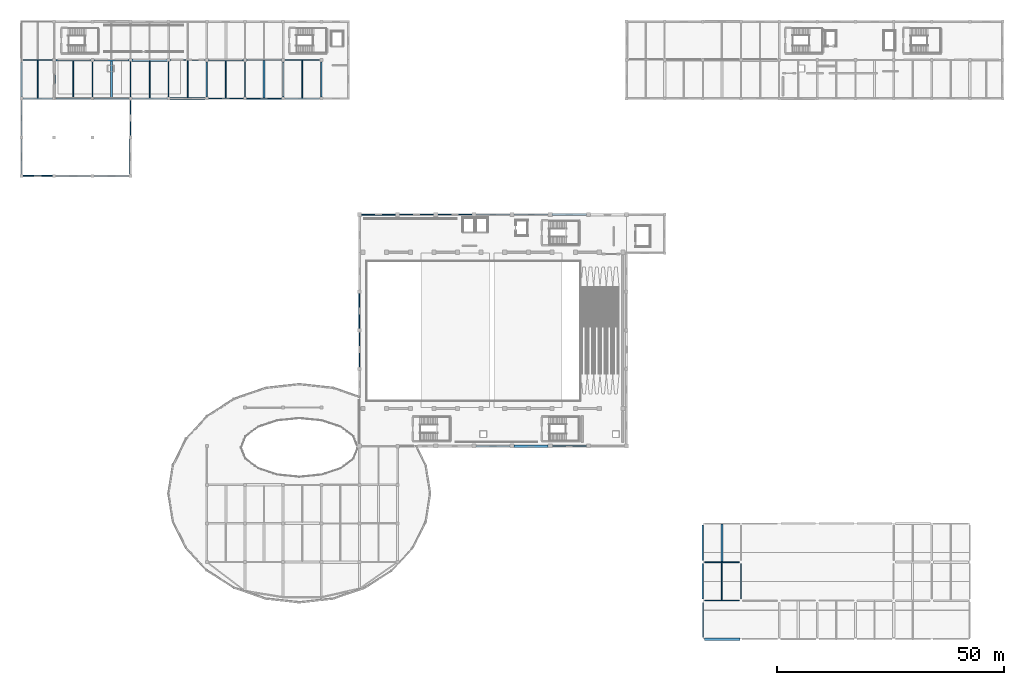
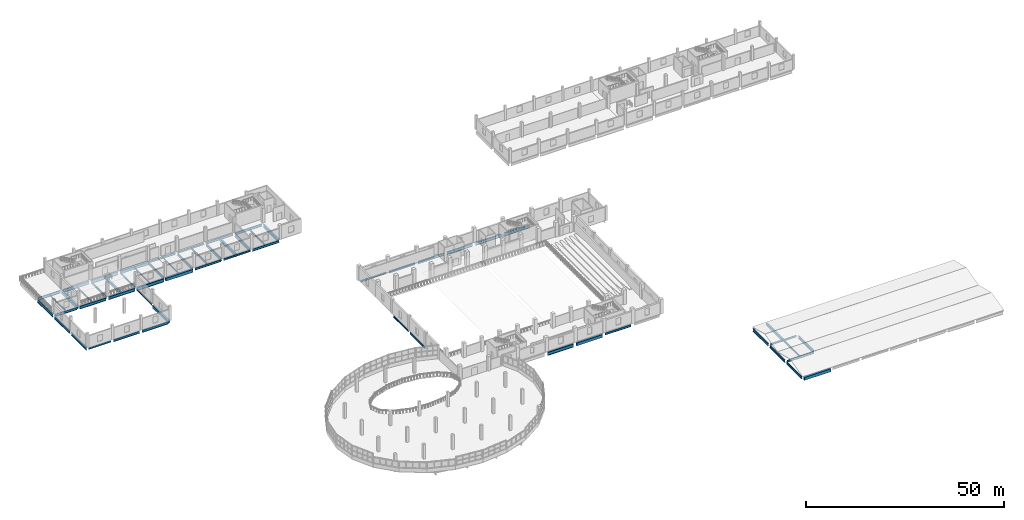
# One storey, part 28 of 50: 60 beams.
"""IFC4 building model written with IfcOpenShell, lengths in metres."""

from ifc_helpers import new_model, si_unit, direction, frame, origin, origin_2d, place, context, subcontext, project, spatial, rectangle, i_section, extrude, material, material_profile, profile_set, type_object, element, save


model = new_model("IFC4")

# Units and contexts
model_context = context("Model", 3, precision=1e-05, world=origin(), true_north=direction((0.0, 1.0)))
body_context = subcontext(model_context, "Body", "Model", "MODEL_VIEW")
ifc_project = project(units=[si_unit("LENGTHUNIT", "METRE"), si_unit("AREAUNIT", "SQUARE_METRE"), si_unit("VOLUMEUNIT", "CUBIC_METRE"), si_unit("PLANEANGLEUNIT", "RADIAN"), si_unit("MASSUNIT", "GRAM", prefix="KILO")], contexts=[model_context])

# Site, building, storey
site_placement = place(None, origin())
site = spatial("IfcSite", under=ifc_project, at=site_placement, CompositionType="ELEMENT")
building_placement = place(site_placement, origin())
building = spatial("IfcBuilding", under=site, at=building_placement, Name="Solvento Point Concert Hall", CompositionType="ELEMENT")
storey_placement = place(building_placement, frame((0.0, 0.0, 15.0)))
storey = spatial("IfcBuildingStorey", under=building, at=storey_placement, Name="L03", CompositionType="ELEMENT", Elevation=15.0)

# Beams
ifc_material_1 = material(Name="Concrete C35/45", Category="concrete")
ifc_material_profile_1 = material_profile(ifc_material_1, rectangle(XDim=0.449951171875, YDim=0.75, at=origin_2d()), Name="RC-BM-450X750")
ifc_profile_set_1 = profile_set([ifc_material_profile_1], Name="Concrete C35/45")
beam_type_1 = type_object("IfcBeamType", Name="Beam_RC_450x750", PredefinedType="BEAM", material=ifc_profile_set_1)
beam_1_placement = place(storey_placement, frame((19.800048828125, 119.138916015625, -0.68896484375), z_axis=(0.0, 1.0, 0.0), x_axis=(-1.0, 0.0, 0.0)))
element("IfcBeam", 1, at=beam_1_placement, inside=storey, type_object=beam_type_1, Name="Secondary floor joist B-28 L03", PredefinedType="BEAM", context=body_context, shape_type="SweptSolid", body=[
    extrude(rectangle(XDim=0.449951171875, YDim=0.75, at=origin_2d()), origin(), (0.0, 0.0, 1.0), 8.195556640625),
])
for number, where, z_axis, x_axis, name in (
    (2, (53.39990234375, 119.092041015625, -0.68896484375), (0.0, 1.0, 0.0), (-1.0, 0.0, 0.0), "Secondary floor joist B-28 L03"),
    (3, (154.199951171875, 17.092041015625, -0.37890625), (0.0, 1.0, 0.0), (-1.0, 0.0, 0.0), "Secondary floor joist B-28 L03"),
):
    element("IfcBeam", number, at=place(storey_placement, frame(where, z_axis=z_axis, x_axis=x_axis)), inside=storey, type_object=beam_type_1, Name=name, PredefinedType="BEAM", context=body_context, shape_type="SweptSolid", body=[
        extrude(rectangle(XDim=0.449951171875, YDim=0.75, at=origin_2d()), origin(), (0.0, 0.0, 1.0), 8.294921875),
    ])
ifc_material_2 = material(Name="Structural Steel ASTM A992 Grade 50", Category="steel")
ifc_material_profile_2 = material_profile(ifc_material_2, i_section(OverallWidth=0.20947265625, OverallDepth=0.532958984375, WebThickness=0.01025390625, FlangeThickness=0.015625, at=origin_2d()), Name="W21X62")
ifc_profile_set_2 = profile_set([ifc_material_profile_2], Name="Structural Steel ASTM A992 Grade 50")
beam_type_2 = type_object("IfcBeamType", Name="Beam_W21X62", PredefinedType="BEAM", material=ifc_profile_set_2)
beam_2_placement = place(storey_placement, frame((11.39990234375, 119.131103515625, -0.58056640625), z_axis=(0.0, 1.0, 0.0), x_axis=(-1.0, 0.0, 0.0)))
element("IfcBeam", 4, at=beam_2_placement, inside=storey, type_object=beam_type_2, Name="Secondary floor joist B-25 L03", PredefinedType="BEAM", context=body_context, shape_type="SweptSolid", body=[
    extrude(i_section(OverallWidth=0.20947265625, OverallDepth=0.532958984375, WebThickness=0.01025390625, FlangeThickness=0.015625, at=origin_2d()), origin(), (0.0, 0.0, 1.0), 8.22998046875),
])
for number, where, z_axis, x_axis, name in (
    (5, (45.0, 119.09912109375, -0.58056640625), (0.0, 1.0, 0.0), (-1.0, 0.0, 0.0), "Secondary floor joist B-25 L03"),
    (6, (154.199951171875, 8.59912109375, -0.2705078125), (0.0, 1.0, 0.0), (-1.0, 0.0, 0.0), "Secondary floor joist B-25 L03"),
):
    element("IfcBeam", number, at=place(storey_placement, frame(where, z_axis=z_axis, x_axis=x_axis)), inside=storey, type_object=beam_type_2, Name=name, PredefinedType="BEAM", context=body_context, shape_type="SweptSolid", body=[
        extrude(i_section(OverallWidth=0.20947265625, OverallDepth=0.532958984375, WebThickness=0.01025390625, FlangeThickness=0.015625, at=origin_2d()), origin(), (0.0, 0.0, 1.0), 8.308837890625),
    ])
ifc_material_3 = material(Name="Structural Steel ASTM A992 Grade 50", Category="steel")
ifc_material_profile_3 = material_profile(ifc_material_3, i_section(OverallWidth=0.214111328125, OverallDepth=0.549072265625, WebThickness=0.0146484375, FlangeThickness=0.023681640625, at=origin_2d()), Name="W21X93")
ifc_profile_set_3 = profile_set([ifc_material_profile_3], Name="Structural Steel ASTM A992 Grade 50")
beam_type_3 = type_object("IfcBeamType", Name="Beam_W21X93", PredefinedType="BEAM", material=ifc_profile_set_3)
beam_3_placement = place(storey_placement, frame((150.368896484375, 17.0, -0.278564453125), z_axis=(1.0, 0.0, 0.0), x_axis=(0.0, 1.0, 0.0)))
element("IfcBeam", 7, at=beam_3_placement, inside=storey, type_object=beam_type_3, Name="Primary girder B-48 L03", PredefinedType="BEAM", context=body_context, shape_type="SweptSolid", body=[
    extrude(i_section(OverallWidth=0.214111328125, OverallDepth=0.549072265625, WebThickness=0.0146484375, FlangeThickness=0.023681640625, at=origin_2d()), origin(), (0.0, 0.0, 1.0), 7.662109375),
])
beam_4_placement = place(storey_placement, frame((74.843994140625, 93.5, -0.718505859375), z_axis=(1.0, 0.0, 0.0), x_axis=(0.0, 1.0, 0.0)))
element("IfcBeam", 8, at=beam_4_placement, inside=storey, type_object=beam_type_3, Name="Primary girder B-48 L03", PredefinedType="BEAM", context=body_context, shape_type="SweptSolid", body=[
    extrude(i_section(OverallWidth=0.214111328125, OverallDepth=0.549072265625, WebThickness=0.0146484375, FlangeThickness=0.023681640625, at=origin_2d()), origin(), (0.0, 0.0, 1.0), 7.511962890625),
])
beam_5_placement = place(storey_placement, frame((0.368896484375, 102.0, -0.54248046875), z_axis=(1.0, 0.0, 0.0), x_axis=(0.0, 1.0, 0.0)))
element("IfcBeam", 9, at=beam_5_placement, inside=storey, type_object=beam_type_3, Name="Primary girder B-48 L03", PredefinedType="BEAM", context=body_context, shape_type="SweptSolid", body=[
    extrude(i_section(OverallWidth=0.214111328125, OverallDepth=0.549072265625, WebThickness=0.0146484375, FlangeThickness=0.023681640625, at=origin_2d()), origin(), (0.0, 0.0, 1.0), 6.462158203125),
])
beam_6_placement = place(storey_placement, frame((49.569091796875, 119.0, -0.58837890625), z_axis=(1.0, 0.0, 0.0), x_axis=(0.0, 1.0, 0.0)))
element("IfcBeam", 10, at=beam_6_placement, inside=storey, type_object=beam_type_3, Name="Primary girder B-48 L03", PredefinedType="BEAM", context=body_context, shape_type="SweptSolid", body=[
    extrude(i_section(OverallWidth=0.214111328125, OverallDepth=0.549072265625, WebThickness=0.0146484375, FlangeThickness=0.023681640625, at=origin_2d()), origin(), (0.0, 0.0, 1.0), 7.661865234375),
])
beam_7_placement = place(storey_placement, frame((41.1689453125, 127.5, -0.58837890625), z_axis=(1.0, 0.0, 0.0), x_axis=(0.0, 1.0, 0.0)))
element("IfcBeam", 11, at=beam_7_placement, inside=storey, type_object=beam_type_3, Name="Primary girder B-48 L03", PredefinedType="BEAM", context=body_context, shape_type="SweptSolid", body=[
    extrude(i_section(OverallWidth=0.214111328125, OverallDepth=0.549072265625, WebThickness=0.0146484375, FlangeThickness=0.023681640625, at=origin_2d()), origin(), (0.0, 0.0, 1.0), 7.662109375),
])
beam_8_placement = place(storey_placement, frame((24.0, 119.368896484375, -0.58837890625), z_axis=(0.0, 1.0, 0.0), x_axis=(-1.0, 0.0, 0.0)))
element("IfcBeam", 12, at=beam_8_placement, inside=storey, type_object=beam_type_3, Name="Primary girder B-48 L03", PredefinedType="BEAM", context=body_context, shape_type="SweptSolid", body=[
    extrude(i_section(OverallWidth=0.214111328125, OverallDepth=0.549072265625, WebThickness=0.0146484375, FlangeThickness=0.023681640625, at=origin_2d()), origin(), (0.0, 0.0, 1.0), 7.76220703125),
])
beam_9_placement = place(storey_placement, frame((74.39990234375, 68.444091796875, -0.718505859375), z_axis=(0.0, 1.0, 0.0), x_axis=(-1.0, 0.0, 0.0)))
element("IfcBeam", 13, at=beam_9_placement, inside=storey, type_object=beam_type_3, Name="Primary girder B-48 L03", PredefinedType="BEAM", context=body_context, shape_type="SweptSolid", body=[
    extrude(i_section(OverallWidth=0.214111328125, OverallDepth=0.549072265625, WebThickness=0.0146484375, FlangeThickness=0.023681640625, at=origin_2d()), origin(), (0.0, 0.0, 1.0), 7.61181640625),
])
ifc_material_4 = material(Name="Structural Steel ASTM A992 Grade 50", Category="steel")
ifc_material_profile_4 = material_profile(ifc_material_4, i_section(OverallWidth=0.228515625, OverallDepth=0.60791015625, WebThickness=0.01123046875, FlangeThickness=0.017333984375, at=origin_2d()), Name="W24X76")
ifc_profile_set_4 = profile_set([ifc_material_profile_4], Name="Structural Steel ASTM A992 Grade 50")
beam_type_4 = type_object("IfcBeamType", Name="Beam_W24X76", PredefinedType="BEAM", material=ifc_profile_set_4)
beam_10_placement = place(storey_placement, frame((150.368896484375, 8.5, -0.30810546875), z_axis=(1.0, 0.0, 0.0), x_axis=(0.0, 1.0, 0.0)))
element("IfcBeam", 14, at=beam_10_placement, inside=storey, type_object=beam_type_4, Name="Primary girder B-42 L03", PredefinedType="BEAM", context=body_context, shape_type="SweptSolid", body=[
    extrude(i_section(OverallWidth=0.228515625, OverallDepth=0.60791015625, WebThickness=0.01123046875, FlangeThickness=0.017333984375, at=origin_2d()), origin(), (0.0, 0.0, 1.0), 7.662109375),
])
beam_11_placement = place(storey_placement, frame((116.843994140625, 42.5, -0.748046875), z_axis=(1.0, 0.0, 0.0), x_axis=(0.0, 1.0, 0.0)))
element("IfcBeam", 15, at=beam_11_placement, inside=storey, type_object=beam_type_4, Name="Primary girder B-42 L03", PredefinedType="BEAM", context=body_context, shape_type="SweptSolid", body=[
    extrude(i_section(OverallWidth=0.228515625, OverallDepth=0.60791015625, WebThickness=0.01123046875, FlangeThickness=0.017333984375, at=origin_2d()), origin(), (0.0, 0.0, 1.0), 7.511962890625),
])
beam_12_placement = place(storey_placement, frame((41.1689453125, 119.0, -0.617919921875), z_axis=(1.0, 0.0, 0.0), x_axis=(0.0, 1.0, 0.0)))
element("IfcBeam", 16, at=beam_12_placement, inside=storey, type_object=beam_type_4, Name="Primary girder B-42 L03", PredefinedType="BEAM", context=body_context, shape_type="SweptSolid", body=[
    extrude(i_section(OverallWidth=0.228515625, OverallDepth=0.60791015625, WebThickness=0.01123046875, FlangeThickness=0.017333984375, at=origin_2d()), origin(), (0.0, 0.0, 1.0), 7.662109375),
])
beam_13_placement = place(storey_placement, frame((32.39990234375, 127.5, -0.617919921875), z_axis=(1.0, 0.0, 0.0), x_axis=(0.0, 1.0, 0.0)))
element("IfcBeam", 17, at=beam_13_placement, inside=storey, type_object=beam_type_4, Name="Primary girder B-42 L03", PredefinedType="BEAM", context=body_context, shape_type="SweptSolid", body=[
    extrude(i_section(OverallWidth=0.228515625, OverallDepth=0.60791015625, WebThickness=0.01123046875, FlangeThickness=0.017333984375, at=origin_2d()), origin(), (0.0, 0.0, 1.0), 8.031005859375),
])
for number, where, z_axis, x_axis, name in (
    (18, (15.60009765625, 119.368896484375, -0.617919921875), (0.0, 1.0, 0.0), (-1.0, 0.0, 0.0), "Primary girder B-42 L03"),
    (19, (24.0, 110.868896484375, -0.572021484375), (0.0, 1.0, 0.0), (-1.0, 0.0, 0.0), "Primary girder B-42 L03"),
):
    element("IfcBeam", number, at=place(storey_placement, frame(where, z_axis=z_axis, x_axis=x_axis)), inside=storey, type_object=beam_type_4, Name=name, PredefinedType="BEAM", context=body_context, shape_type="SweptSolid", body=[
        extrude(i_section(OverallWidth=0.228515625, OverallDepth=0.60791015625, WebThickness=0.01123046875, FlangeThickness=0.017333984375, at=origin_2d()), origin(), (0.0, 0.0, 1.0), 7.76220703125),
    ])
beam_14_placement = place(storey_placement, frame((74.39990234375, 59.944091796875, -0.748046875), z_axis=(0.0, 1.0, 0.0), x_axis=(-1.0, 0.0, 0.0)))
element("IfcBeam", 20, at=beam_14_placement, inside=storey, type_object=beam_type_4, Name="Primary girder B-42 L03", PredefinedType="BEAM", context=body_context, shape_type="SweptSolid", body=[
    extrude(i_section(OverallWidth=0.228515625, OverallDepth=0.60791015625, WebThickness=0.01123046875, FlangeThickness=0.017333984375, at=origin_2d()), origin(), (0.0, 0.0, 1.0), 7.61181640625),
])
ifc_material_5 = material(Name="Concrete C35/45", Category="concrete")
ifc_material_profile_5 = material_profile(ifc_material_5, rectangle(XDim=0.550048828125, YDim=0.89990234375, at=origin_2d()), Name="RC-BM-550X900")
ifc_profile_set_5 = profile_set([ifc_material_profile_5], Name="Concrete C35/45")
beam_type_5 = type_object("IfcBeamType", Name="Girder_RC_550x900", PredefinedType="USERDEFINED", material=ifc_profile_set_5)
beam_15_placement = place(storey_placement, frame((150.368896484375, 0.0, -0.4541015625), z_axis=(1.0, 0.0, 0.0), x_axis=(0.0, 1.0, 0.0)))
element("IfcBeam", 21, at=beam_15_placement, inside=storey, type_object=beam_type_5, Name="Primary girder B-39 L03", ObjectType="GIRDER", PredefinedType="USERDEFINED", context=body_context, shape_type="SweptSolid", body=[
    extrude(rectangle(XDim=0.550048828125, YDim=0.89990234375, at=origin_2d()), origin(), (0.0, 0.0, 1.0), 7.787109375),
])
beam_16_placement = place(storey_placement, frame((108.444091796875, 42.5, -0.89404296875), z_axis=(1.0, 0.0, 0.0), x_axis=(0.0, 1.0, 0.0)))
element("IfcBeam", 22, at=beam_16_placement, inside=storey, type_object=beam_type_5, Name="Primary girder B-39 L03", ObjectType="GIRDER", PredefinedType="USERDEFINED", context=body_context, shape_type="SweptSolid", body=[
    extrude(rectangle(XDim=0.550048828125, YDim=0.89990234375, at=origin_2d()), origin(), (0.0, 0.0, 1.0), 7.511962890625),
])
beam_17_placement = place(storey_placement, frame((32.64404296875, 119.0, -0.763916015625), z_axis=(1.0, 0.0, 0.0), x_axis=(0.0, 1.0, 0.0)))
element("IfcBeam", 23, at=beam_17_placement, inside=storey, type_object=beam_type_5, Name="Primary girder B-39 L03", ObjectType="GIRDER", PredefinedType="USERDEFINED", context=body_context, shape_type="SweptSolid", body=[
    extrude(rectangle(XDim=0.550048828125, YDim=0.89990234375, at=origin_2d()), origin(), (0.0, 0.0, 1.0), 7.786865234375),
])
beam_18_placement = place(storey_placement, frame((24.368896484375, 127.5, -0.763916015625), z_axis=(1.0, 0.0, 0.0), x_axis=(0.0, 1.0, 0.0)))
element("IfcBeam", 24, at=beam_18_placement, inside=storey, type_object=beam_type_5, Name="Primary girder B-39 L03", ObjectType="GIRDER", PredefinedType="USERDEFINED", context=body_context, shape_type="SweptSolid", body=[
    extrude(rectangle(XDim=0.550048828125, YDim=0.89990234375, at=origin_2d()), origin(), (0.0, 0.0, 1.0), 8.031005859375),
])
for number, where, z_axis, x_axis, name in (
    (25, (7.199951171875, 119.368896484375, -0.763916015625), (0.0, 1.0, 0.0), (-1.0, 0.0, 0.0), "Primary girder B-39 L03"),
    (26, (24.0, 102.368896484375, -0.718017578125), (0.0, 1.0, 0.0), (-1.0, 0.0, 0.0), "Primary girder B-39 L03"),
):
    element("IfcBeam", number, at=place(storey_placement, frame(where, z_axis=z_axis, x_axis=x_axis)), inside=storey, type_object=beam_type_5, Name=name, ObjectType="GIRDER", PredefinedType="USERDEFINED", context=body_context, shape_type="SweptSolid", body=[
        extrude(rectangle(XDim=0.550048828125, YDim=0.89990234375, at=origin_2d()), origin(), (0.0, 0.0, 1.0), 7.76220703125),
    ])
ifc_material_6 = material(Name="Structural Steel ASTM A992 Grade 50", Category="steel")
ifc_material_profile_6 = material_profile(ifc_material_6, i_section(OverallWidth=0.256103515625, OverallDepth=0.693115234375, WebThickness=0.014404296875, FlangeThickness=0.023681640625, at=origin_2d()), Name="W27X114")
ifc_profile_set_6 = profile_set([ifc_material_profile_6], Name="Structural Steel ASTM A992 Grade 50")
beam_type_6 = type_object("IfcBeamType", Name="Girder_W27X114", PredefinedType="USERDEFINED", material=ifc_profile_set_6)
beam_19_placement = place(storey_placement, frame((83.243896484375, 93.5, -0.79052734375), z_axis=(1.0, 0.0, 0.0), x_axis=(0.0, 1.0, 0.0)))
element("IfcBeam", 27, at=beam_19_placement, inside=storey, type_object=beam_type_6, Name="Primary girder B-23 L03", ObjectType="GIRDER", PredefinedType="USERDEFINED", context=body_context, shape_type="SweptSolid", body=[
    extrude(i_section(OverallWidth=0.256103515625, OverallDepth=0.693115234375, WebThickness=0.014404296875, FlangeThickness=0.023681640625, at=origin_2d()), origin(), (0.0, 0.0, 1.0), 7.51220703125),
])
beam_20_placement = place(storey_placement, frame((7.569091796875, 102.0, -0.614501953125), z_axis=(1.0, 0.0, 0.0), x_axis=(0.0, 1.0, 0.0)))
element("IfcBeam", 28, at=beam_20_placement, inside=storey, type_object=beam_type_6, Name="Primary girder B-23 L03", ObjectType="GIRDER", PredefinedType="USERDEFINED", context=body_context, shape_type="SweptSolid", body=[
    extrude(i_section(OverallWidth=0.256103515625, OverallDepth=0.693115234375, WebThickness=0.014404296875, FlangeThickness=0.023681640625, at=origin_2d()), origin(), (0.0, 0.0, 1.0), 7.661865234375),
])
beam_21_placement = place(storey_placement, frame((57.968994140625, 119.0, -0.660400390625), z_axis=(1.0, 0.0, 0.0), x_axis=(0.0, 1.0, 0.0)))
element("IfcBeam", 29, at=beam_21_placement, inside=storey, type_object=beam_type_6, Name="Primary girder B-23 L03", ObjectType="GIRDER", PredefinedType="USERDEFINED", context=body_context, shape_type="SweptSolid", body=[
    extrude(i_section(OverallWidth=0.256103515625, OverallDepth=0.693115234375, WebThickness=0.014404296875, FlangeThickness=0.023681640625, at=origin_2d()), origin(), (0.0, 0.0, 1.0), 7.662109375),
])
beam_22_placement = place(storey_placement, frame((49.569091796875, 127.5, -0.660400390625), z_axis=(1.0, 0.0, 0.0), x_axis=(0.0, 1.0, 0.0)))
element("IfcBeam", 30, at=beam_22_placement, inside=storey, type_object=beam_type_6, Name="Primary girder B-23 L03", ObjectType="GIRDER", PredefinedType="USERDEFINED", context=body_context, shape_type="SweptSolid", body=[
    extrude(i_section(OverallWidth=0.256103515625, OverallDepth=0.693115234375, WebThickness=0.014404296875, FlangeThickness=0.023681640625, at=origin_2d()), origin(), (0.0, 0.0, 1.0), 7.661865234375),
])
beam_23_placement = place(storey_placement, frame((32.39990234375, 119.39404296875, -0.660400390625), z_axis=(0.0, 1.0, 0.0), x_axis=(-1.0, 0.0, 0.0)))
element("IfcBeam", 31, at=beam_23_placement, inside=storey, type_object=beam_type_6, Name="Primary girder B-23 L03", ObjectType="GIRDER", PredefinedType="USERDEFINED", context=body_context, shape_type="SweptSolid", body=[
    extrude(i_section(OverallWidth=0.256103515625, OverallDepth=0.693115234375, WebThickness=0.014404296875, FlangeThickness=0.023681640625, at=origin_2d()), origin(), (0.0, 0.0, 1.0), 7.88037109375),
])
beam_24_placement = place(storey_placement, frame((150.0, 0.368896484375, -0.3505859375), z_axis=(0.0, 1.0, 0.0), x_axis=(-1.0, 0.0, 0.0)))
element("IfcBeam", 32, at=beam_24_placement, inside=storey, type_object=beam_type_6, Name="Primary girder B-23 L03", ObjectType="GIRDER", PredefinedType="USERDEFINED", context=body_context, shape_type="SweptSolid", body=[
    extrude(i_section(OverallWidth=0.256103515625, OverallDepth=0.693115234375, WebThickness=0.014404296875, FlangeThickness=0.023681640625, at=origin_2d()), origin(), (0.0, 0.0, 1.0), 7.76220703125),
])
ifc_material_7 = material(Name="Structural Steel ASTM A992 Grade 50", Category="steel")
ifc_material_profile_7 = material_profile(ifc_material_7, i_section(OverallWidth=0.26806640625, OverallDepth=0.77001953125, WebThickness=0.015625, FlangeThickness=0.025390625, at=origin_2d()), Name="W30X132")
ifc_profile_set_7 = profile_set([ifc_material_profile_7], Name="Structural Steel ASTM A992 Grade 50")
beam_type_7 = type_object("IfcBeamType", Name="Girder_W30X132", PredefinedType="USERDEFINED", material=ifc_profile_set_7)
beam_25_placement = place(storey_placement, frame((91.64404296875, 93.5, -0.8291015625), z_axis=(1.0, 0.0, 0.0), x_axis=(0.0, 1.0, 0.0)))
element("IfcBeam", 33, at=beam_25_placement, inside=storey, type_object=beam_type_7, Name="Primary girder B-68 L03", ObjectType="GIRDER", PredefinedType="USERDEFINED", context=body_context, shape_type="SweptSolid", body=[
    extrude(i_section(OverallWidth=0.26806640625, OverallDepth=0.77001953125, WebThickness=0.015625, FlangeThickness=0.025390625, at=origin_2d()), origin(), (0.0, 0.0, 1.0), 7.511962890625),
])
beam_26_placement = place(storey_placement, frame((15.968994140625, 102.0, -0.653076171875), z_axis=(1.0, 0.0, 0.0), x_axis=(0.0, 1.0, 0.0)))
element("IfcBeam", 34, at=beam_26_placement, inside=storey, type_object=beam_type_7, Name="Primary girder B-68 L03", ObjectType="GIRDER", PredefinedType="USERDEFINED", context=body_context, shape_type="SweptSolid", body=[
    extrude(i_section(OverallWidth=0.26806640625, OverallDepth=0.77001953125, WebThickness=0.015625, FlangeThickness=0.025390625, at=origin_2d()), origin(), (0.0, 0.0, 1.0), 7.662109375),
])
beam_27_placement = place(storey_placement, frame((0.368896484375, 119.0, -0.62890625), z_axis=(1.0, 0.0, 0.0), x_axis=(0.0, 1.0, 0.0)))
element("IfcBeam", 35, at=beam_27_placement, inside=storey, type_object=beam_type_7, Name="Primary girder B-68 L03", ObjectType="GIRDER", PredefinedType="USERDEFINED", context=body_context, shape_type="SweptSolid", body=[
    extrude(i_section(OverallWidth=0.26806640625, OverallDepth=0.77001953125, WebThickness=0.015625, FlangeThickness=0.025390625, at=origin_2d()), origin(), (0.0, 0.0, 1.0), 6.462158203125),
])
beam_28_placement = place(storey_placement, frame((57.968994140625, 127.5, -0.698974609375), z_axis=(1.0, 0.0, 0.0), x_axis=(0.0, 1.0, 0.0)))
element("IfcBeam", 36, at=beam_28_placement, inside=storey, type_object=beam_type_7, Name="Primary girder B-68 L03", ObjectType="GIRDER", PredefinedType="USERDEFINED", context=body_context, shape_type="SweptSolid", body=[
    extrude(i_section(OverallWidth=0.26806640625, OverallDepth=0.77001953125, WebThickness=0.015625, FlangeThickness=0.025390625, at=origin_2d()), origin(), (0.0, 0.0, 1.0), 7.662109375),
])
for number, where, z_axis, x_axis, name in (
    (37, (40.800048828125, 119.368896484375, -0.698974609375), (0.0, 1.0, 0.0), (-1.0, 0.0, 0.0), "Primary girder B-68 L03"),
    (38, (150.0, 8.868896484375, -0.388916015625), (0.0, 1.0, 0.0), (-1.0, 0.0, 0.0), "Primary girder B-68 L03"),
):
    element("IfcBeam", number, at=place(storey_placement, frame(where, z_axis=z_axis, x_axis=x_axis)), inside=storey, type_object=beam_type_7, Name=name, ObjectType="GIRDER", PredefinedType="USERDEFINED", context=body_context, shape_type="SweptSolid", body=[
        extrude(i_section(OverallWidth=0.26806640625, OverallDepth=0.77001953125, WebThickness=0.015625, FlangeThickness=0.025390625, at=origin_2d()), origin(), (0.0, 0.0, 1.0), 7.76220703125),
    ])
ifc_material_8 = material(Name="Structural Steel ASTM A992 Grade 50", Category="steel")
ifc_material_profile_8 = material_profile(ifc_material_8, i_section(OverallWidth=0.2919921875, OverallDepth=0.85888671875, WebThickness=0.01708984375, FlangeThickness=0.031005859375, at=origin_2d()), Name="W33X169")
ifc_profile_set_8 = profile_set([ifc_material_profile_8], Name="Structural Steel ASTM A992 Grade 50")
beam_type_8 = type_object("IfcBeamType", Name="Girder_W33X169", PredefinedType="USERDEFINED", material=ifc_profile_set_8)
beam_29_placement = place(storey_placement, frame((100.0439453125, 93.5, -0.87353515625), z_axis=(1.0, 0.0, 0.0), x_axis=(0.0, 1.0, 0.0)))
element("IfcBeam", 39, at=beam_29_placement, inside=storey, type_object=beam_type_8, Name="Primary girder B-33 L03", ObjectType="GIRDER", PredefinedType="USERDEFINED", context=body_context, shape_type="SweptSolid", body=[
    extrude(i_section(OverallWidth=0.2919921875, OverallDepth=0.85888671875, WebThickness=0.01708984375, FlangeThickness=0.031005859375, at=origin_2d()), origin(), (0.0, 0.0, 1.0), 7.511962890625),
])
beam_30_placement = place(storey_placement, frame((7.569091796875, 119.0, -0.743408203125), z_axis=(1.0, 0.0, 0.0), x_axis=(0.0, 1.0, 0.0)))
element("IfcBeam", 40, at=beam_30_placement, inside=storey, type_object=beam_type_8, Name="Primary girder B-33 L03", ObjectType="GIRDER", PredefinedType="USERDEFINED", context=body_context, shape_type="SweptSolid", body=[
    extrude(i_section(OverallWidth=0.2919921875, OverallDepth=0.85888671875, WebThickness=0.01708984375, FlangeThickness=0.031005859375, at=origin_2d()), origin(), (0.0, 0.0, 1.0), 7.661865234375),
])
beam_31_placement = place(storey_placement, frame((0.368896484375, 127.5, -0.673583984375), z_axis=(1.0, 0.0, 0.0), x_axis=(0.0, 1.0, 0.0)))
element("IfcBeam", 41, at=beam_31_placement, inside=storey, type_object=beam_type_8, Name="Primary girder B-33 L03", ObjectType="GIRDER", PredefinedType="USERDEFINED", context=body_context, shape_type="SweptSolid", body=[
    extrude(i_section(OverallWidth=0.2919921875, OverallDepth=0.85888671875, WebThickness=0.01708984375, FlangeThickness=0.031005859375, at=origin_2d()), origin(), (0.0, 0.0, 1.0), 6.462158203125),
])
for number, where, z_axis, x_axis, name in (
    (42, (0.0, 102.368896484375, -0.697509765625), (0.0, 1.0, 0.0), (-1.0, 0.0, 0.0), "Primary girder B-33 L03"),
    (43, (49.199951171875, 119.368896484375, -0.743408203125), (0.0, 1.0, 0.0), (-1.0, 0.0, 0.0), "Primary girder B-33 L03"),
    (44, (150.0, 17.368896484375, -0.43359375), (0.0, 1.0, 0.0), (-1.0, 0.0, 0.0), "Primary girder B-33 L03"),
    (45, (158.39990234375, 8.868896484375, -0.43359375), (0.0, 1.0, 0.0), (-1.0, 0.0, 0.0), "Primary girder B-33 L03"),
):
    element("IfcBeam", number, at=place(storey_placement, frame(where, z_axis=z_axis, x_axis=x_axis)), inside=storey, type_object=beam_type_8, Name=name, ObjectType="GIRDER", PredefinedType="USERDEFINED", context=body_context, shape_type="SweptSolid", body=[
        extrude(i_section(OverallWidth=0.2919921875, OverallDepth=0.85888671875, WebThickness=0.01708984375, FlangeThickness=0.031005859375, at=origin_2d()), origin(), (0.0, 0.0, 1.0), 7.76220703125),
    ])
ifc_material_9 = material(Name="Structural Steel ASTM A992 Grade 50", Category="steel")
ifc_material_profile_9 = material_profile(ifc_material_9, i_section(OverallWidth=0.3076171875, OverallDepth=0.927001953125, WebThickness=0.019287109375, FlangeThickness=0.031982421875, at=origin_2d()), Name="W36X194")
ifc_profile_set_9 = profile_set([ifc_material_profile_9], Name="Structural Steel ASTM A992 Grade 50")
beam_type_9 = type_object("IfcBeamType", Name="Girder_W36X194", PredefinedType="USERDEFINED", material=ifc_profile_set_9)
beam_32_placement = place(storey_placement, frame((108.444091796875, 93.5, -0.907470703125), z_axis=(1.0, 0.0, 0.0), x_axis=(0.0, 1.0, 0.0)))
element("IfcBeam", 46, at=beam_32_placement, inside=storey, type_object=beam_type_9, Name="Primary girder B-61 L03", ObjectType="GIRDER", PredefinedType="USERDEFINED", context=body_context, shape_type="SweptSolid", body=[
    extrude(i_section(OverallWidth=0.3076171875, OverallDepth=0.927001953125, WebThickness=0.019287109375, FlangeThickness=0.031982421875, at=origin_2d()), origin(), (0.0, 0.0, 1.0), 7.511962890625),
])
beam_33_placement = place(storey_placement, frame((15.968994140625, 119.0, -0.777587890625), z_axis=(1.0, 0.0, 0.0), x_axis=(0.0, 1.0, 0.0)))
element("IfcBeam", 47, at=beam_33_placement, inside=storey, type_object=beam_type_9, Name="Primary girder B-61 L03", ObjectType="GIRDER", PredefinedType="USERDEFINED", context=body_context, shape_type="SweptSolid", body=[
    extrude(i_section(OverallWidth=0.3076171875, OverallDepth=0.927001953125, WebThickness=0.019287109375, FlangeThickness=0.031982421875, at=origin_2d()), origin(), (0.0, 0.0, 1.0), 7.662109375),
])
beam_34_placement = place(storey_placement, frame((7.569091796875, 127.5, -0.777587890625), z_axis=(1.0, 0.0, 0.0), x_axis=(0.0, 1.0, 0.0)))
element("IfcBeam", 48, at=beam_34_placement, inside=storey, type_object=beam_type_9, Name="Primary girder B-61 L03", ObjectType="GIRDER", PredefinedType="USERDEFINED", context=body_context, shape_type="SweptSolid", body=[
    extrude(i_section(OverallWidth=0.3076171875, OverallDepth=0.927001953125, WebThickness=0.019287109375, FlangeThickness=0.031982421875, at=origin_2d()), origin(), (0.0, 0.0, 1.0), 7.661865234375),
])
for number, where, z_axis, x_axis, name in (
    (49, (0.0, 110.868896484375, -0.7314453125), (0.0, 1.0, 0.0), (-1.0, 0.0, 0.0), "Primary girder B-61 L03"),
    (50, (57.60009765625, 119.368896484375, -0.777587890625), (0.0, 1.0, 0.0), (-1.0, 0.0, 0.0), "Primary girder B-61 L03"),
):
    element("IfcBeam", number, at=place(storey_placement, frame(where, z_axis=z_axis, x_axis=x_axis)), inside=storey, type_object=beam_type_9, Name=name, ObjectType="GIRDER", PredefinedType="USERDEFINED", context=body_context, shape_type="SweptSolid", body=[
        extrude(i_section(OverallWidth=0.3076171875, OverallDepth=0.927001953125, WebThickness=0.019287109375, FlangeThickness=0.031982421875, at=origin_2d()), origin(), (0.0, 0.0, 1.0), 7.76220703125),
    ])
ifc_material_10 = material(Name="Structural Steel ASTM A992 Grade 50", Category="steel")
ifc_material_profile_10 = material_profile(ifc_material_10, i_section(OverallWidth=0.361083984375, OverallDepth=1.02587890625, WebThickness=0.01904296875, FlangeThickness=0.0361328125, at=origin_2d()), Name="W40X249")
ifc_profile_set_10 = profile_set([ifc_material_profile_10], Name="Structural Steel ASTM A992 Grade 50")
beam_type_10 = type_object("IfcBeamType", Name="Girder_W40X249", PredefinedType="USERDEFINED", material=ifc_profile_set_10)
for number, where, z_axis, x_axis, name in (
    (51, (100.0439453125, 42.5, -0.95703125), (1.0, 0.0, 0.0), (0.0, 1.0, 0.0), "Primary girder B-29 L03"),
    (52, (116.843994140625, 93.5, -0.95703125), (1.0, 0.0, 0.0), (0.0, 1.0, 0.0), "Primary girder B-29 L03"),
):
    element("IfcBeam", number, at=place(storey_placement, frame(where, z_axis=z_axis, x_axis=x_axis)), inside=storey, type_object=beam_type_10, Name=name, ObjectType="GIRDER", PredefinedType="USERDEFINED", context=body_context, shape_type="SweptSolid", body=[
        extrude(i_section(OverallWidth=0.361083984375, OverallDepth=1.02587890625, WebThickness=0.01904296875, FlangeThickness=0.0361328125, at=origin_2d()), origin(), (0.0, 0.0, 1.0), 7.511962890625),
    ])
beam_35_placement = place(storey_placement, frame((24.368896484375, 119.0, -0.826904296875), z_axis=(1.0, 0.0, 0.0), x_axis=(0.0, 1.0, 0.0)))
element("IfcBeam", 53, at=beam_35_placement, inside=storey, type_object=beam_type_10, Name="Primary girder B-29 L03", ObjectType="GIRDER", PredefinedType="USERDEFINED", context=body_context, shape_type="SweptSolid", body=[
    extrude(i_section(OverallWidth=0.361083984375, OverallDepth=1.02587890625, WebThickness=0.01904296875, FlangeThickness=0.0361328125, at=origin_2d()), origin(), (0.0, 0.0, 1.0), 7.787109375),
])
beam_36_placement = place(storey_placement, frame((15.968994140625, 127.5, -0.826904296875), z_axis=(1.0, 0.0, 0.0), x_axis=(0.0, 1.0, 0.0)))
element("IfcBeam", 54, at=beam_36_placement, inside=storey, type_object=beam_type_10, Name="Primary girder B-29 L03", ObjectType="GIRDER", PredefinedType="USERDEFINED", context=body_context, shape_type="SweptSolid", body=[
    extrude(i_section(OverallWidth=0.361083984375, OverallDepth=1.02587890625, WebThickness=0.01904296875, FlangeThickness=0.0361328125, at=origin_2d()), origin(), (0.0, 0.0, 1.0), 7.662109375),
])
for number, where, z_axis, x_axis, name in (
    (55, (0.0, 119.368896484375, -0.757080078125), (0.0, 1.0, 0.0), (-1.0, 0.0, 0.0), "Primary girder B-29 L03"),
    (56, (66.0, 119.368896484375, -0.826904296875), (0.0, 1.0, 0.0), (-1.0, 0.0, 0.0), "Primary girder B-29 L03"),
):
    element("IfcBeam", number, at=place(storey_placement, frame(where, z_axis=z_axis, x_axis=x_axis)), inside=storey, type_object=beam_type_10, Name=name, ObjectType="GIRDER", PredefinedType="USERDEFINED", context=body_context, shape_type="SweptSolid", body=[
        extrude(i_section(OverallWidth=0.361083984375, OverallDepth=1.02587890625, WebThickness=0.01904296875, FlangeThickness=0.0361328125, at=origin_2d()), origin(), (0.0, 0.0, 1.0), 7.76220703125),
    ])
ifc_material_11 = material(Name="Structural Steel ASTM A992 Grade 50", Category="steel")
ifc_material_profile_11 = material_profile(ifc_material_11, i_section(OverallWidth=0.177490234375, OverallDepth=0.403076171875, WebThickness=0.007568359375, FlangeThickness=0.010986328125, at=origin_2d()), Name="W16X36")
ifc_profile_set_11 = profile_set([ifc_material_profile_11], Name="Structural Steel ASTM A992 Grade 50")
beam_type_11 = type_object("IfcBeamType", Name="Joist_W16X36", PredefinedType="JOIST", material=ifc_profile_set_11)
beam_37_placement = place(storey_placement, frame((3.60009765625, 119.118896484375, -0.445556640625), z_axis=(0.0, 1.0, 0.0), x_axis=(-1.0, 0.0, 0.0)))
element("IfcBeam", 57, at=beam_37_placement, inside=storey, type_object=beam_type_11, Name="Secondary floor joist B-30 L03", PredefinedType="JOIST", context=body_context, shape_type="SweptSolid", body=[
    extrude(i_section(OverallWidth=0.177490234375, OverallDepth=0.403076171875, WebThickness=0.007568359375, FlangeThickness=0.010986328125, at=origin_2d()), origin(), (0.0, 0.0, 1.0), 8.25),
])
beam_38_placement = place(storey_placement, frame((36.60009765625, 119.260009765625, -0.515380859375), z_axis=(0.0, 1.0, 0.0), x_axis=(-1.0, 0.0, 0.0)))
element("IfcBeam", 58, at=beam_38_placement, inside=storey, type_object=beam_type_11, Name="Secondary floor joist B-30 L03", PredefinedType="JOIST", context=body_context, shape_type="SweptSolid", body=[
    extrude(i_section(OverallWidth=0.177490234375, OverallDepth=0.403076171875, WebThickness=0.007568359375, FlangeThickness=0.010986328125, at=origin_2d()), origin(), (0.0, 0.0, 1.0), 8.140869140625),
])
ifc_material_12 = material(Name="Structural Steel ASTM A992 Grade 50", Category="steel")
ifc_material_profile_12 = material_profile(ifc_material_12, i_section(OverallWidth=0.1904296875, OverallDepth=0.45703125, WebThickness=0.009033203125, FlangeThickness=0.014404296875, at=origin_2d()), Name="W18X50")
ifc_profile_set_12 = profile_set([ifc_material_profile_12], Name="Structural Steel ASTM A992 Grade 50")
beam_type_12 = type_object("IfcBeamType", Name="Joist_W18X50", PredefinedType="JOIST", material=ifc_profile_set_12)
beam_39_placement = place(storey_placement, frame((28.199951171875, 119.16552734375, -0.54248046875), z_axis=(0.0, 1.0, 0.0), x_axis=(-1.0, 0.0, 0.0)))
element("IfcBeam", 59, at=beam_39_placement, inside=storey, type_object=beam_type_12, Name="Secondary floor joist B-66 L03", PredefinedType="JOIST", context=body_context, shape_type="SweptSolid", body=[
    extrude(i_section(OverallWidth=0.1904296875, OverallDepth=0.45703125, WebThickness=0.009033203125, FlangeThickness=0.014404296875, at=origin_2d()), origin(), (0.0, 0.0, 1.0), 8.074462890625),
])
beam_40_placement = place(storey_placement, frame((61.800048828125, 119.113037109375, -0.54248046875), z_axis=(0.0, 1.0, 0.0), x_axis=(-1.0, 0.0, 0.0)))
element("IfcBeam", 60, at=beam_40_placement, inside=storey, type_object=beam_type_12, Name="Secondary floor joist B-66 L03", PredefinedType="JOIST", context=body_context, shape_type="SweptSolid", body=[
    extrude(i_section(OverallWidth=0.1904296875, OverallDepth=0.45703125, WebThickness=0.009033203125, FlangeThickness=0.014404296875, at=origin_2d()), origin(), (0.0, 0.0, 1.0), 8.26806640625),
])

save(model, "model.ifc")
